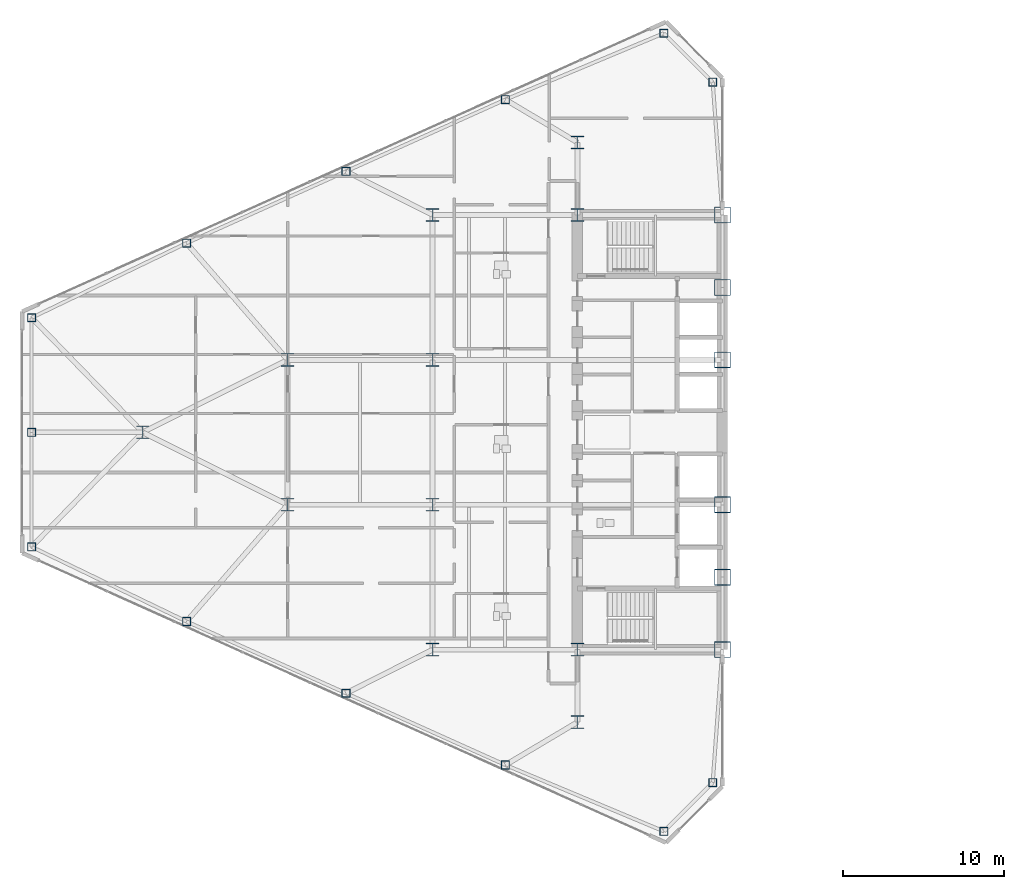
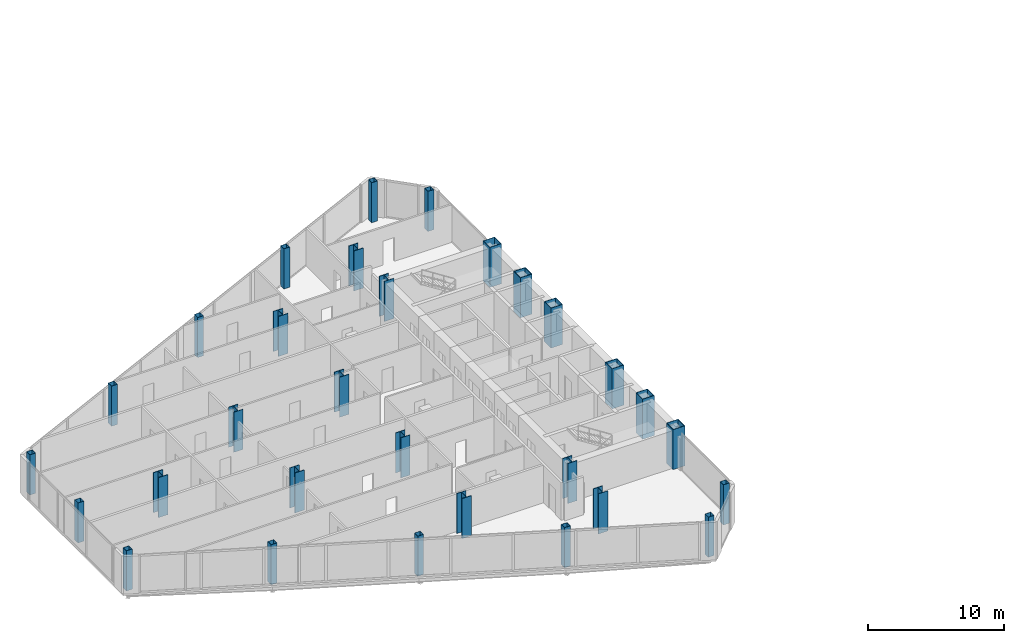
# One storey, part 1 of 27: 30 columns.
"""IFC4 building model written with IfcOpenShell, lengths in metres."""

from ifc_helpers import new_model, si_unit, direction, frame, origin, origin_2d, place, context, subcontext, project, spatial, hollow_rectangle, i_section, extrude, source, transform, mapped, material, material_profile, profile_set, type_object, type_shapes, element, save


model = new_model("IFC4")

# Units and contexts
model_context = context("Model", 3, precision=1e-05, world=origin(), true_north=direction((0.0, 1.0)))
body_context = subcontext(model_context, "Body", "Model", "MODEL_VIEW")
ifc_project = project(units=[si_unit("LENGTHUNIT", "METRE"), si_unit("AREAUNIT", "SQUARE_METRE"), si_unit("VOLUMEUNIT", "CUBIC_METRE"), si_unit("PLANEANGLEUNIT", "RADIAN"), si_unit("MASSUNIT", "GRAM", prefix="KILO")], contexts=[model_context])

# Site, building, storey
site_placement = place(None, origin())
site = spatial("IfcSite", under=ifc_project, at=site_placement, CompositionType="ELEMENT")
building_placement = place(site_placement, origin())
building = spatial("IfcBuilding", under=site, at=building_placement, Name="Seokmaru Belvedere", CompositionType="ELEMENT")
storey_placement = place(building_placement, frame((0.0, 0.0, 99.60009765625)))
storey = spatial("IfcBuildingStorey", under=building, at=storey_placement, Name="L26", CompositionType="ELEMENT", Elevation=99.60009765625)

# Columns
ifc_material_1 = material(Name="Steel SM355 (355 MPa)", Category="steel")
ifc_material_profile_1 = material_profile(ifc_material_1, hollow_rectangle(XDim=0.5, YDim=0.5, WallThickness=0.02001953125, at=origin_2d()), Name="HSS-500x500x20")
ifc_profile_set_1 = profile_set([ifc_material_profile_1], Name="Steel SM355 (355 MPa)")
column_type_1 = type_object("IfcColumnType", Name="Perimeter Facet Column HSS-500", PredefinedType="COLUMN", material=ifc_profile_set_1)
shared_shape_1 = source(origin(), body_context, "Body", "SweptSolid", [
    extrude(hollow_rectangle(XDim=0.5, YDim=0.5, WallThickness=0.02001953125, at=origin_2d()), origin(), (0.0, 0.0, 1.0), 3.599853515625),
])
type_shapes(column_type_1, [shared_shape_1])
for number, where, z_axis, x_axis, name in (
    (1, (-28.10009765625, -21.75146484375, 0.0), (0.0, 0.0, 1.0), (1.0, 0.0, 0.0), "L26 Column WF1"),
    (2, (-28.10009765625, 21.75146484375, 0.0), (0.0, 0.0, 1.0), (1.0, 0.0, 0.0), "L26 Column WF2"),
    (3, (-31.13134765625, 24.782958984375, 0.0), (0.0, 0.0, 1.0), (1.0, 0.0, 0.0), "L26 Column WF3"),
    (4, (-70.39990234375, 7.112060546875, 0.0), (0.0, 0.0, 1.0), (1.0, 0.0, 0.0), "L26 Column WF4"),
    (5, (-70.39990234375, -7.112060546875, 0.0), (0.0, 0.0, 1.0), (1.0, 0.0, 0.0), "L26 Column WF5"),
    (6, (-31.13134765625, -24.782958984375, 0.0), (0.0, 0.0, 1.0), (1.0, 0.0, 0.0), "L26 Column WF6"),
    (7, (-40.97265625, -20.661376953125, 0.0), (0.0, 0.0, 1.0), (1.0, 0.0, 0.0), "L26 Column WFLK_S1"),
    (8, (-50.875, -16.205322265625, 0.0), (0.0, 0.0, 1.0), (1.0, 0.0, 0.0), "L26 Column WFLK_S2"),
    (9, (-60.777587890625, -11.749267578125, 0.0), (0.0, 0.0, 1.0), (1.0, 0.0, 0.0), "L26 Column WFLK_S3"),
    (10, (-40.97265625, 20.661376953125, 0.0), (0.0, 0.0, 1.0), (1.0, 0.0, 0.0), "L26 Column WFLK_N1"),
    (11, (-50.875, 16.205322265625, 0.0), (0.0, 0.0, 1.0), (1.0, 0.0, 0.0), "L26 Column WFLK_N2"),
    (12, (-60.777587890625, 11.749267578125, 0.0), (0.0, 0.0, 1.0), (1.0, 0.0, 0.0), "L26 Column WFLK_N3"),
    (13, (-70.39990234375, 0.0, 0.0), (0.0, 0.0, 1.0), (1.0, 0.0, 0.0), "L26 Column WF_APXM"),
):
    element("IfcColumn", number, at=place(storey_placement, frame(where, z_axis=z_axis, x_axis=x_axis)), inside=storey, type_object=column_type_1, Name=name, PredefinedType="COLUMN", context=body_context, shape_type="MappedRepresentation", body=[
        mapped(shared_shape_1, transform((0.0, 0.0, 0.0), scale=1.0)),
    ])
ifc_material_2 = material(Name="Steel HSA650 (650 MPa)", Category="steel")
ifc_material_profile_2 = material_profile(ifc_material_2, hollow_rectangle(XDim=1.0, YDim=1.0, WallThickness=0.0419921875, at=origin_2d()), Name="BOX-1000x1000x42")
ifc_profile_set_2 = profile_set([ifc_material_profile_2], Name="Steel HSA650 (650 MPa)")
column_type_2 = type_object("IfcColumnType", Name="Portal Spine Column BOX-1000", PredefinedType="COLUMN", material=ifc_profile_set_2)
shared_shape_2 = source(origin(), body_context, "Body", "SweptSolid", [
    extrude(hollow_rectangle(XDim=1.0, YDim=1.0, WallThickness=0.0419921875, at=origin_2d()), origin(), (0.0, 0.0, 1.0), 3.599853515625),
])
type_shapes(column_type_2, [shared_shape_2])
for number, where, z_axis, x_axis, name in (
    (14, (-27.5, -13.5, 0.0), (0.0, 0.0, 1.0), (1.0, 0.0, 0.0), "L26 Column WS1"),
    (15, (-27.5, -9.0, 0.0), (0.0, 0.0, 1.0), (1.0, 0.0, 0.0), "L26 Column WS2"),
    (16, (-27.5, -4.5, 0.0), (0.0, 0.0, 1.0), (1.0, 0.0, 0.0), "L26 Column WS3"),
    (17, (-27.5, 4.5, 0.0), (0.0, 0.0, 1.0), (1.0, 0.0, 0.0), "L26 Column WS4"),
    (18, (-27.5, 9.0, 0.0), (0.0, 0.0, 1.0), (1.0, 0.0, 0.0), "L26 Column WS5"),
    (19, (-27.5, 13.5, 0.0), (0.0, 0.0, 1.0), (1.0, 0.0, 0.0), "L26 Column WS6"),
):
    element("IfcColumn", number, at=place(storey_placement, frame(where, z_axis=z_axis, x_axis=x_axis)), inside=storey, type_object=column_type_2, Name=name, PredefinedType="COLUMN", context=body_context, shape_type="MappedRepresentation", body=[
        mapped(shared_shape_2, transform((0.0, 0.0, 0.0), scale=1.0)),
    ])
ifc_material_profile_3 = material_profile(ifc_material_1, i_section(OverallWidth=0.800048828125, OverallDepth=0.800048828125, WebThickness=0.031982421875, FlangeThickness=0.050048828125, at=origin_2d()), Name="H-800x800x32x50")
ifc_profile_set_3 = profile_set([ifc_material_profile_3], Name="Steel SM355 (355 MPa)")
column_type_3 = type_object("IfcColumnType", Name="Lower-Mid Interior Column H-800", PredefinedType="COLUMN", material=ifc_profile_set_3)
shared_shape_3 = source(origin(), body_context, "Body", "SweptSolid", [
    extrude(i_section(OverallWidth=0.800048828125, OverallDepth=0.800048828125, WebThickness=0.031982421875, FlangeThickness=0.050048828125, at=origin_2d()), origin(), (0.0, 0.0, 1.0), 3.599853515625),
])
type_shapes(column_type_3, [shared_shape_3])
for number, where, z_axis, x_axis, name in (
    (20, (-36.5, -18.0, 0.0), (0.0, 0.0, 1.0), (1.0, 0.0, 0.0), "L26 Column WC1"),
    (21, (-36.5, -13.5, 0.0), (0.0, 0.0, 1.0), (1.0, 0.0, 0.0), "L26 Column WC2"),
    (22, (-36.5, 13.5, 0.0), (0.0, 0.0, 1.0), (1.0, 0.0, 0.0), "L26 Column WC3"),
    (23, (-36.5, 18.0, 0.0), (0.0, 0.0, 1.0), (1.0, 0.0, 0.0), "L26 Column WC4"),
    (24, (-45.5, -13.5, 0.0), (0.0, 0.0, 1.0), (1.0, 0.0, 0.0), "L26 Column WG5_1"),
    (25, (-45.5, -4.5, 0.0), (0.0, 0.0, 1.0), (1.0, 0.0, 0.0), "L26 Column WG5_2"),
    (26, (-45.5, 4.5, 0.0), (0.0, 0.0, 1.0), (1.0, 0.0, 0.0), "L26 Column WG5_3"),
    (27, (-45.5, 13.5, 0.0), (0.0, 0.0, 1.0), (1.0, 0.0, 0.0), "L26 Column WG5_4"),
    (28, (-54.5, -4.5, 0.0), (0.0, 0.0, 1.0), (1.0, 0.0, 0.0), "L26 Column WG4P_1"),
    (29, (-54.5, 4.5, 0.0), (0.0, 0.0, 1.0), (1.0, 0.0, 0.0), "L26 Column WG4P_2"),
    (30, (-63.5, 0.0, 0.0), (0.0, 0.0, 1.0), (1.0, 0.0, 0.0), "L26 Column WG3P_1"),
):
    element("IfcColumn", number, at=place(storey_placement, frame(where, z_axis=z_axis, x_axis=x_axis)), inside=storey, type_object=column_type_3, Name=name, PredefinedType="COLUMN", context=body_context, shape_type="MappedRepresentation", body=[
        mapped(shared_shape_3, transform((0.0, 0.0, 0.0), scale=1.0)),
    ])

save(model, "model.ifc")
